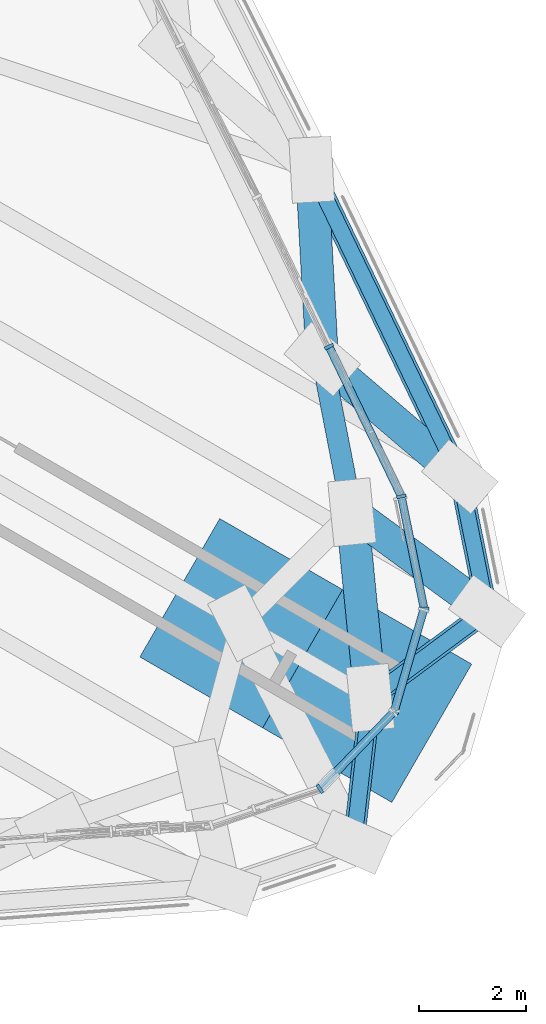
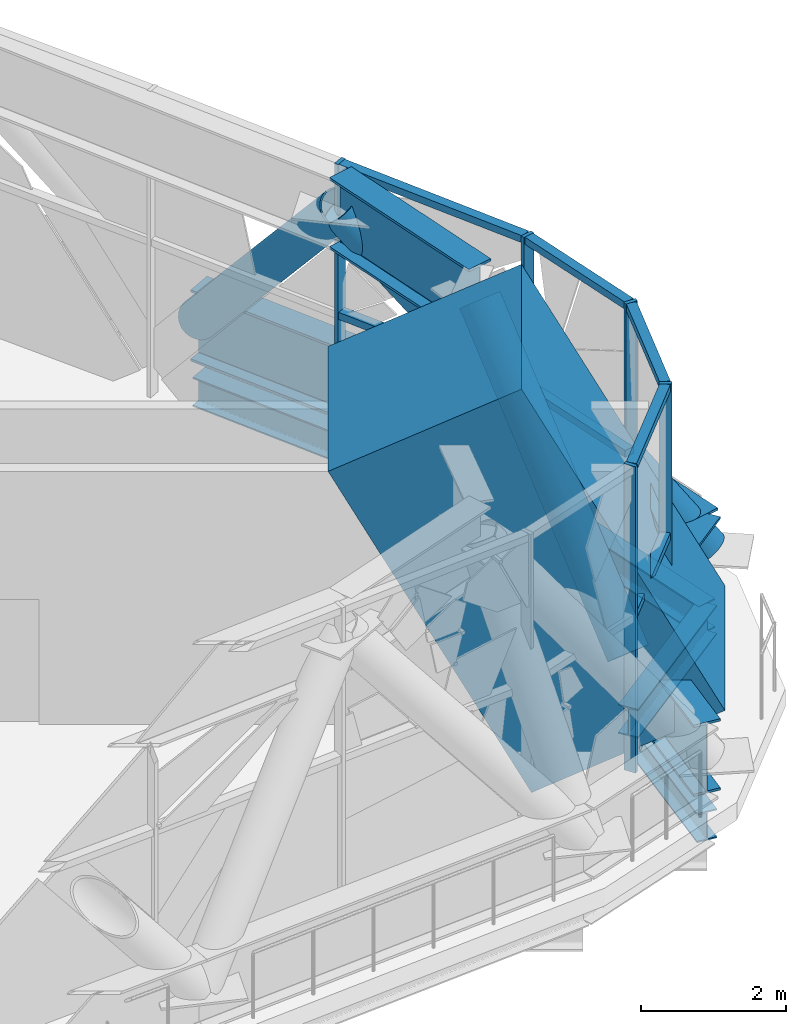
# One storey, part 11 of 43: 23 members, 4 beams, 2 elements without a shape of their own.
"""IFC4 building model written with IfcOpenShell, lengths in metres."""

from ifc_helpers import new_model, si_unit, direction, frame, origin, origin_2d, place, context, subcontext, project, spatial, rectangle, hollow_circle, i_section, extrude, material, material_profile, profile_set, type_object, element, aggregate, save


model = new_model("IFC4")

# Units and contexts
model_context = context("Model", 3, precision=1e-05, world=origin(), true_north=direction((0.0, 1.0)))
body_context = subcontext(model_context, "Body", "Model", "MODEL_VIEW")
ifc_project = project(units=[si_unit("LENGTHUNIT", "METRE"), si_unit("AREAUNIT", "SQUARE_METRE"), si_unit("VOLUMEUNIT", "CUBIC_METRE"), si_unit("PLANEANGLEUNIT", "RADIAN"), si_unit("MASSUNIT", "GRAM", prefix="KILO")], contexts=[model_context])

# Site, building, storey
site_placement = place(None, origin())
site = spatial("IfcSite", under=ifc_project, at=site_placement, CompositionType="ELEMENT")
building_placement = place(site_placement, origin())
building = spatial("IfcBuilding", under=site, at=building_placement, Name="Mestral Congress Tower", CompositionType="ELEMENT")
storey_placement = place(building_placement, frame((0.0, 0.0, 78.300048828125)))
storey = spatial("IfcBuildingStorey", under=building, at=storey_placement, Name="L18", CompositionType="ELEMENT", Elevation=78.300048828125)

# Members
ifc_material_1 = material(Name="Steel S355", Category="steel")
ifc_material_profile_1 = material_profile(ifc_material_1, i_section(OverallWidth=0.39990234375, OverallDepth=1.199951171875, WebThickness=0.02001953125, FlangeThickness=0.0400390625, FilletRadius=0.010009765625, at=origin_2d()), Name="WPG 1200")
ifc_profile_set_1 = profile_set([ifc_material_profile_1], Name="Steel S355")
member_type_1 = type_object("IfcMemberType", Name="Belt chord WPG 1200 S355", PredefinedType="CHORD", material=ifc_profile_set_1)
for number, where, z_axis, x_axis, name in (
    (1, (31.210205078125, -20.90966796875, 0.599853515625), (0.114457668102, 0.993428126345, 0.0), (-0.993428126345, 0.114457668102, 0.0), "MB-L18-BC1-SE1"),
    (2, (31.5224609375, -18.199462890625, 0.599853515625), (0.803103553896, 0.59583947647, 0.0), (-0.59583947647, 0.803103553896, 0.0), "MB-L18-BC1-SE"),
):
    element("IfcMember", number, at=place(storey_placement, frame(where, z_axis=z_axis, x_axis=x_axis)), inside=storey, type_object=member_type_1, Name=name, PredefinedType="CHORD", context=body_context, shape_type="SweptSolid", body=[
        extrude(i_section(OverallWidth=0.39990234375, OverallDepth=1.199951171875, WebThickness=0.02001953125, FlangeThickness=0.0400390625, FilletRadius=0.010009765625, at=origin_2d()), origin(), (0.0, 0.0, 1.0), 2.72802734375),
    ])
member_1_placement = place(storey_placement, frame((33.71337890625, -16.573974609375, 0.599853515625), z_axis=(-0.198046458429, 0.980192634283, 0.0), x_axis=(-0.980192634283, -0.198046458429, 0.0)))
element("IfcMember", 3, at=member_1_placement, inside=storey, type_object=member_type_1, Name="MB-L18-BC1-SE3", PredefinedType="CHORD", context=body_context, shape_type="SweptSolid", body=[
    extrude(i_section(OverallWidth=0.39990234375, OverallDepth=1.199951171875, WebThickness=0.02001953125, FlangeThickness=0.0400390625, FilletRadius=0.010009765625, at=origin_2d()), origin(), (0.0, 0.0, 1.0), 2.57763671875),
])
member_2_placement = place(storey_placement, frame((33.202880859375, -14.04736328125, 0.599853515625), z_axis=(-0.434657317293, 0.900595923, 0.0), x_axis=(-0.900595923, -0.434657317293, 0.0)))
element("IfcMember", 4, at=member_2_placement, inside=storey, type_object=member_type_1, Name="MB-L18-BC1-E00", PredefinedType="CHORD", context=body_context, shape_type="SweptSolid", body=[
    extrude(i_section(OverallWidth=0.39990234375, OverallDepth=1.199951171875, WebThickness=0.02001953125, FlangeThickness=0.0400390625, FilletRadius=0.010009765625, at=origin_2d()), origin(), (0.0, 0.0, 1.0), 6.39990234375),
])
member_3_placement = place(storey_placement, frame((31.1767578125, -14.714111328125, 4.550048828125), z_axis=(-0.190501452066, 0.981686913818, 0.0), x_axis=(-0.981686913818, -0.190501452066, 0.0)))
element("IfcMember", 5, at=member_3_placement, inside=storey, type_object=member_type_1, Name="MB-L18-TC1-SE3", PredefinedType="CHORD", context=body_context, shape_type="SweptSolid", body=[
    extrude(i_section(OverallWidth=0.39990234375, OverallDepth=1.199951171875, WebThickness=0.02001953125, FlangeThickness=0.0400390625, FilletRadius=0.010009765625, at=origin_2d()), origin(), (0.0, 0.0, 1.0), 2.928466796875),
])
ifc_material_profile_2 = material_profile(ifc_material_1, hollow_circle(Radius=0.304931640625, WallThickness=0.02490234375, at=origin_2d()), Name="CHS 610x25")
ifc_profile_set_2 = profile_set([ifc_material_profile_2], Name="Steel S355")
member_type_2 = type_object("IfcMemberType", Name="Belt diagonal CHS 610x25 S355", PredefinedType="BRACE", material=ifc_profile_set_2)
member_4_placement = place(storey_placement, frame((31.5224609375, -18.199462890625, 0.599853515625), z_axis=(-0.065482498887, 0.660189374374, 0.748239288132), x_axis=(-0.995116926047, -0.098703107823, 0.0)))
element("IfcMember", 6, at=member_4_placement, inside=storey, type_object=member_type_2, Name="MD-L18-BD1-SE.SE3", PredefinedType="BRACE", context=body_context, shape_type="SweptSolid", body=[
    extrude(hollow_circle(Radius=0.304931640625, WallThickness=0.02490234375, at=origin_2d()), origin(), (0.0, 0.0, 1.0), 5.279296875),
])
member_5_placement = place(storey_placement, frame((33.71337890625, -16.573974609375, 0.599853515625), z_axis=(-0.502349656336, 0.368325282192, 0.782292342591), x_axis=(-0.591296362447, -0.806454345737, 0.0)))
element("IfcMember", 7, at=member_5_placement, inside=storey, type_object=member_type_2, Name="MD-L18-BD1-SE3.SE3", PredefinedType="BRACE", context=body_context, shape_type="SweptSolid", body=[
    extrude(hollow_circle(Radius=0.304931640625, WallThickness=0.02490234375, at=origin_2d()), origin(), (0.0, 0.0, 1.0), 5.049560546875),
])
member_6_placement = place(storey_placement, frame((33.202880859375, -14.04736328125, 0.599853515625), z_axis=(-0.495854718562, 0.423706545226, 0.758024314658), x_axis=(-0.649631192766, -0.760249507323, 0.0)))
element("IfcMember", 8, at=member_6_placement, inside=storey, type_object=member_type_2, Name="MD-L18-BD1-E00.E00", PredefinedType="BRACE", context=body_context, shape_type="SweptSolid", body=[
    extrude(hollow_circle(Radius=0.304931640625, WallThickness=0.02490234375, at=origin_2d()), origin(), (0.0, 0.0, 1.0), 5.211181640625),
])
member_7_placement = place(storey_placement, frame((30.421142578125, -8.28369140625, 0.599853515625), z_axis=(0.037182629283, -0.668552855401, 0.742734496044), x_axis=(0.998456976268, 0.055530771133, 0.0)))
element("IfcMember", 9, at=member_7_placement, inside=storey, type_object=member_type_2, Name="MD-L18-BD1-E01.E00", PredefinedType="BRACE", context=body_context, shape_type="SweptSolid", body=[
    extrude(hollow_circle(Radius=0.304931640625, WallThickness=0.02490234375, at=origin_2d()), origin(), (0.0, 0.0, 1.0), 5.318359375),
])

# Curtain wall, member
ifc_material_2 = material(Name="Clear low-emissivity double glazing", Category="glass")
curtain_wall_type = type_object("IfcCurtainWallType", Name="Facade refuge band screen", PredefinedType="USERDEFINED", material=ifc_material_2)
placement = place(storey_placement, origin())
curtain_wall_1 = element("IfcCurtainWall", 10, at=placement, inside=storey, type_object=curtain_wall_type, Name="Facade refuge band screen face 2", ObjectType="CURTAIN WALL", PredefinedType="USERDEFINED")
ifc_material_3 = material(Name="Anodised aluminium", Category="aluminium")
ifc_material_profile_3 = material_profile(ifc_material_3, rectangle(XDim=0.179931640625, YDim=0.06005859375, at=origin_2d()), Name="CW3 mullion 180 x 60")
ifc_profile_set_3 = profile_set([ifc_material_profile_3], Name="Anodised aluminium")
member_type_3 = type_object("IfcMemberType", Name="Facade refuge band screen mullion", PredefinedType="MULLION", material=ifc_profile_set_3)
member_8_placement = place(storey_placement, frame((30.7470703125, -11.60498046875, 0.0), z_axis=(0.0, 0.0, 1.0), x_axis=(0.900598126418, 0.434652751851, 0.0)))
member_8 = element("IfcMember", 11, at=member_8_placement, type_object=member_type_3, Name="Facade refuge band screen mullion", PredefinedType="MULLION", context=body_context, shape_type="SweptSolid", body=[
    extrude(rectangle(XDim=0.179931640625, YDim=0.06005859375, at=origin_2d()), origin(), (0.0, 0.0, 1.0), 5.14990234375),
])

# Curtain wall, members
curtain_wall_2 = element("IfcCurtainWall", 12, at=placement, inside=storey, type_object=curtain_wall_type, Name="Facade refuge band screen corner 1", ObjectType="CURTAIN WALL", PredefinedType="USERDEFINED")
member_9_placement = place(storey_placement, frame((30.575927734375, -19.90966796875, 0.0), z_axis=(0.0, 0.0, 1.0), x_axis=(0.535579202071, -0.844485001826, 0.0)))
member_9 = element("IfcMember", 13, at=member_9_placement, type_object=member_type_3, Name="Facade refuge band screen mullion", PredefinedType="MULLION", context=body_context, shape_type="SweptSolid", body=[
    extrude(rectangle(XDim=0.179931640625, YDim=0.06005859375, at=origin_2d()), origin(), (0.0, 0.0, 1.0), 5.14990234375),
])
member_10_placement = place(storey_placement, frame((31.968994140625, -18.457275390625, 0.0), z_axis=(0.0, 0.0, 1.0), x_axis=(0.866025403784, -0.5, 0.0)))
member_10 = element("IfcMember", 14, at=member_10_placement, type_object=member_type_3, Name="Facade refuge band screen mullion", PredefinedType="MULLION", context=body_context, shape_type="SweptSolid", body=[
    extrude(rectangle(XDim=0.179931640625, YDim=0.06005859375, at=origin_2d()), origin(), (0.0, 0.0, 1.0), 5.14990234375),
])
member_11_placement = place(storey_placement, frame((32.5302734375, -16.52490234375, 0.0), z_axis=(0.0, 0.0, 1.0), x_axis=(0.999135065732, -0.041582693819, 0.0)))
member_11 = element("IfcMember", 15, at=member_11_placement, type_object=member_type_3, Name="Facade refuge band screen mullion", PredefinedType="MULLION", context=body_context, shape_type="SweptSolid", body=[
    extrude(rectangle(XDim=0.179931640625, YDim=0.06005859375, at=origin_2d()), origin(), (0.0, 0.0, 1.0), 5.14990234375),
])
member_12_placement = place(storey_placement, frame((32.104248046875, -14.4169921875, 0.0), z_axis=(0.0, 0.0, 1.0), x_axis=(0.980184145572, 0.198088467028, 0.0)))
member_12 = element("IfcMember", 16, at=member_12_placement, type_object=member_type_3, Name="Facade refuge band screen mullion", PredefinedType="MULLION", context=body_context, shape_type="SweptSolid", body=[
    extrude(rectangle(XDim=0.179931640625, YDim=0.06005859375, at=origin_2d()), origin(), (0.0, 0.0, 1.0), 5.14990234375),
])

# Member
ifc_material_profile_4 = material_profile(ifc_material_3, rectangle(XDim=0.14990234375, YDim=0.1201171875, at=origin_2d()), Name="CW3 transom 150 x 120")
ifc_profile_set_4 = profile_set([ifc_material_profile_4], Name="Anodised aluminium")
member_type_4 = type_object("IfcMemberType", Name="Facade refuge band screen transom", PredefinedType="USERDEFINED", material=ifc_profile_set_4)
member_13_placement = place(storey_placement, frame((32.09130859375, -14.389892578125, 2.599853515625), z_axis=(-0.434668799446, 0.900590381244, 0.0), x_axis=(-0.900590381244, -0.434668799446, 0.0)))
member_13 = element("IfcMember", 17, at=member_13_placement, type_object=member_type_4, Name="Facade refuge band screen transom", ObjectType="TRANSOM", PredefinedType="USERDEFINED", context=body_context, shape_type="SweptSolid", body=[
    extrude(rectangle(XDim=0.14990234375, YDim=0.1201171875, at=origin_2d()), origin(), (0.0, 0.0, 1.0), 3.062255859375),
])

member_14_placement = place(storey_placement, frame((32.09130859375, -14.389892578125, 5.08984375), z_axis=(-0.434668799446, 0.900590381244, 0.0), x_axis=(-0.900590381244, -0.434668799446, 0.0)))
member_14 = element("IfcMember", 18, at=member_14_placement, type_object=member_type_4, Name="Facade refuge band screen transom", ObjectType="TRANSOM", PredefinedType="USERDEFINED", context=body_context, shape_type="SweptSolid", body=[
    extrude(rectangle(XDim=0.14990234375, YDim=0.1201171875, at=origin_2d()), origin(), (0.0, 0.0, 1.0), 3.062255859375),
])

aggregate(curtain_wall_1, [member_8, member_13, member_14])

member_15_placement = place(storey_placement, frame((30.5966796875, -19.887939453125, 2.599853515625), z_axis=(0.692261069509, 0.721647151759, 0.0), x_axis=(-0.721647151759, 0.692261069509, 0.0)))
member_15 = element("IfcMember", 19, at=member_15_placement, type_object=member_type_4, Name="Facade refuge band screen transom", ObjectType="TRANSOM", PredefinedType="USERDEFINED", context=body_context, shape_type="SweptSolid", body=[
    extrude(rectangle(XDim=0.14990234375, YDim=0.1201171875, at=origin_2d()), origin(), (0.0, 0.0, 1.0), 1.952392578125),
])

member_16_placement = place(storey_placement, frame((30.5966796875, -19.887939453125, 5.08984375), z_axis=(0.692261069509, 0.721647151759, 0.0), x_axis=(-0.721647151759, 0.692261069509, 0.0)))
member_16 = element("IfcMember", 20, at=member_16_placement, type_object=member_type_4, Name="Facade refuge band screen transom", ObjectType="TRANSOM", PredefinedType="USERDEFINED", context=body_context, shape_type="SweptSolid", body=[
    extrude(rectangle(XDim=0.14990234375, YDim=0.1201171875, at=origin_2d()), origin(), (0.0, 0.0, 1.0), 1.952392578125),
])

member_17_placement = place(storey_placement, frame((31.977294921875, -18.428466796875, 2.599853515625), z_axis=(0.27899621095, 0.960292202549, 0.0), x_axis=(-0.960292202549, 0.27899621095, 0.0)))
member_17 = element("IfcMember", 21, at=member_17_placement, type_object=member_type_4, Name="Facade refuge band screen transom", ObjectType="TRANSOM", PredefinedType="USERDEFINED", context=body_context, shape_type="SweptSolid", body=[
    extrude(rectangle(XDim=0.14990234375, YDim=0.1201171875, at=origin_2d()), origin(), (0.0, 0.0, 1.0), 1.952392578125),
])

member_18_placement = place(storey_placement, frame((31.977294921875, -18.428466796875, 5.08984375), z_axis=(0.27899621095, 0.960292202549, 0.0), x_axis=(-0.960292202549, 0.27899621095, 0.0)))
member_18 = element("IfcMember", 22, at=member_18_placement, type_object=member_type_4, Name="Facade refuge band screen transom", ObjectType="TRANSOM", PredefinedType="USERDEFINED", context=body_context, shape_type="SweptSolid", body=[
    extrude(rectangle(XDim=0.14990234375, YDim=0.1201171875, at=origin_2d()), origin(), (0.0, 0.0, 1.0), 1.952392578125),
])

member_19_placement = place(storey_placement, frame((32.5244140625, -16.495361328125, 2.599853515625), z_axis=(-0.198181872235, 0.98016526439, 0.0), x_axis=(-0.98016526439, -0.198181872235, 0.0)))
member_19 = element("IfcMember", 23, at=member_19_placement, type_object=member_type_4, Name="Facade refuge band screen transom", ObjectType="TRANSOM", PredefinedType="USERDEFINED", context=body_context, shape_type="SweptSolid", body=[
    extrude(rectangle(XDim=0.14990234375, YDim=0.1201171875, at=origin_2d()), origin(), (0.0, 0.0, 1.0), 2.090576171875),
])

member_20_placement = place(storey_placement, frame((32.5244140625, -16.495361328125, 5.08984375), z_axis=(-0.198181872235, 0.98016526439, 0.0), x_axis=(-0.98016526439, -0.198181872235, 0.0)))
member_20 = element("IfcMember", 24, at=member_20_placement, type_object=member_type_4, Name="Facade refuge band screen transom", ObjectType="TRANSOM", PredefinedType="USERDEFINED", context=body_context, shape_type="SweptSolid", body=[
    extrude(rectangle(XDim=0.14990234375, YDim=0.1201171875, at=origin_2d()), origin(), (0.0, 0.0, 1.0), 2.090576171875),
])

aggregate(curtain_wall_2, [member_9, member_10, member_11, member_12, member_15, member_16, member_17, member_18, member_19, member_20])

ifc_material_4 = material(Name="Concrete C80/95", Category="concrete")
ifc_material_profile_5 = material_profile(ifc_material_4, rectangle(XDim=3.0, YDim=3.0, at=origin_2d()), Name="RC 3000x3000")
ifc_profile_set_5 = profile_set([ifc_material_profile_5], Name="Concrete C80/95")
member_type_5 = type_object("IfcMemberType", Name="Pylon shift strut RC 3000x3000 C80/95", PredefinedType="STRUT", material=ifc_profile_set_5)
member_21_placement = place(storey_placement, frame((31.5224609375, -18.199462890625, 0.0), z_axis=(-0.39870815693, 0.230178304811, 0.887721664483), x_axis=(-0.499974004562, -0.866040411738, 0.0)))
element("IfcMember", 25, at=member_21_placement, inside=storey, type_object=member_type_5, Name="MS-L18-PS1-SE", PredefinedType="STRUT", context=body_context, shape_type="SweptSolid", body=[
    extrude(rectangle(XDim=3.0, YDim=3.0, at=origin_2d()), origin(), (0.0, 0.0, 1.0), 6.082763671875),
])

# Beams
ifc_material_profile_6 = material_profile(ifc_material_1, i_section(OverallWidth=0.300048828125, OverallDepth=0.489990234375, WebThickness=0.011962890625, FlangeThickness=0.02294921875, FilletRadius=0.027099609375, at=origin_2d()), Name="HEA 500")
ifc_profile_set_6 = profile_set([ifc_material_profile_6], Name="Steel S355")
beam_type = type_object("IfcBeamType", Name="Spandrel beam HEA 500 S355", PredefinedType="BEAM", material=ifc_profile_set_6)
for number, where, z_axis, x_axis, name in (
    (26, (31.210205078125, -20.90966796875, -0.545166015625), (0.114457668102, 0.993428126345, 0.0), (-0.993428126345, 0.114457668102, 0.0), "SP-L18-SB1-SE1"),
    (27, (31.5224609375, -18.199462890625, -0.545166015625), (0.803103553896, 0.59583947647, 0.0), (-0.59583947647, 0.803103553896, 0.0), "SP-L18-SB1-SE"),
):
    element("IfcBeam", number, at=place(storey_placement, frame(where, z_axis=z_axis, x_axis=x_axis)), inside=storey, type_object=beam_type, Name=name, PredefinedType="BEAM", context=body_context, shape_type="SweptSolid", body=[
        extrude(i_section(OverallWidth=0.300048828125, OverallDepth=0.489990234375, WebThickness=0.011962890625, FlangeThickness=0.02294921875, FilletRadius=0.027099609375, at=origin_2d()), origin(), (0.0, 0.0, 1.0), 2.72802734375),
    ])
beam_1_placement = place(storey_placement, frame((33.71337890625, -16.573974609375, -0.545166015625), z_axis=(-0.198046458429, 0.980192634283, 0.0), x_axis=(-0.980192634283, -0.198046458429, 0.0)))
element("IfcBeam", 28, at=beam_1_placement, inside=storey, type_object=beam_type, Name="SP-L18-SB1-SE3", PredefinedType="BEAM", context=body_context, shape_type="SweptSolid", body=[
    extrude(i_section(OverallWidth=0.300048828125, OverallDepth=0.489990234375, WebThickness=0.011962890625, FlangeThickness=0.02294921875, FilletRadius=0.027099609375, at=origin_2d()), origin(), (0.0, 0.0, 1.0), 2.57763671875),
])
beam_2_placement = place(storey_placement, frame((33.202880859375, -14.04736328125, -0.545166015625), z_axis=(-0.434657317293, 0.900595923, 0.0), x_axis=(-0.900595923, -0.434657317293, 0.0)))
element("IfcBeam", 29, at=beam_2_placement, inside=storey, type_object=beam_type, Name="SP-L18-SB1-E00", PredefinedType="BEAM", context=body_context, shape_type="SweptSolid", body=[
    extrude(i_section(OverallWidth=0.300048828125, OverallDepth=0.489990234375, WebThickness=0.011962890625, FlangeThickness=0.02294921875, FilletRadius=0.027099609375, at=origin_2d()), origin(), (0.0, 0.0, 1.0), 6.39990234375),
])

save(model, "model.ifc")
